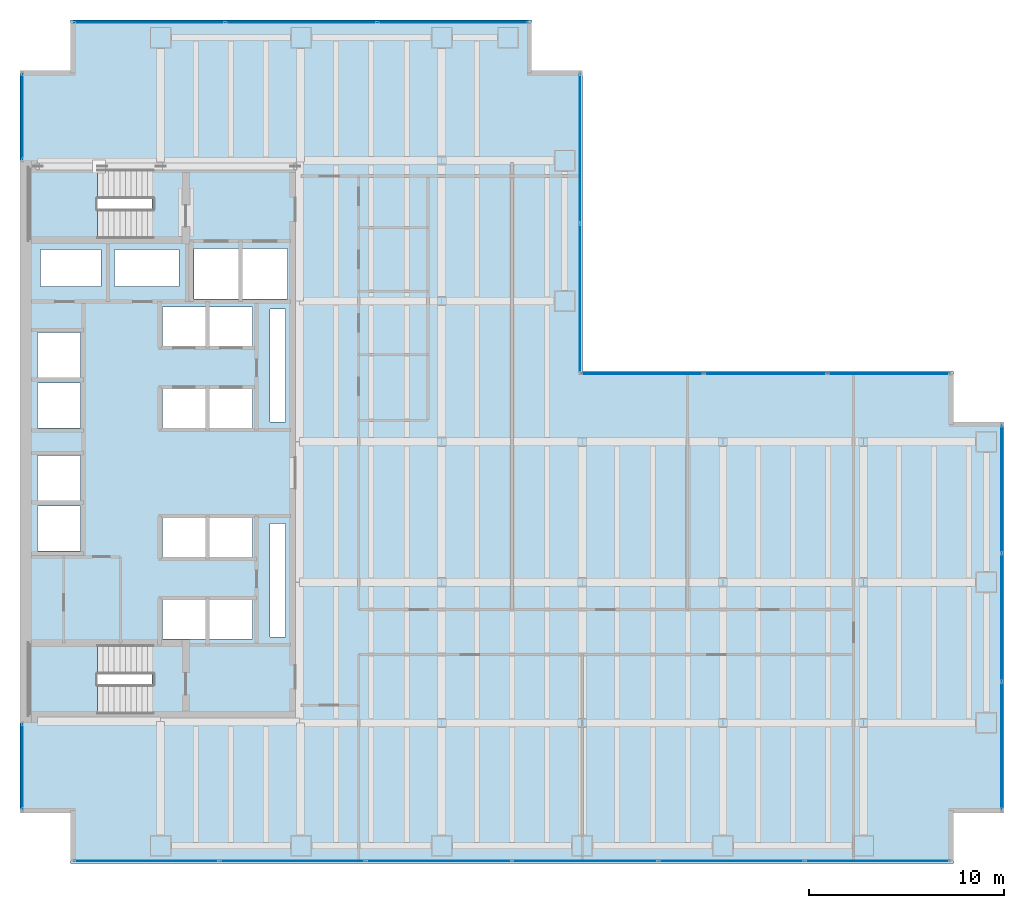
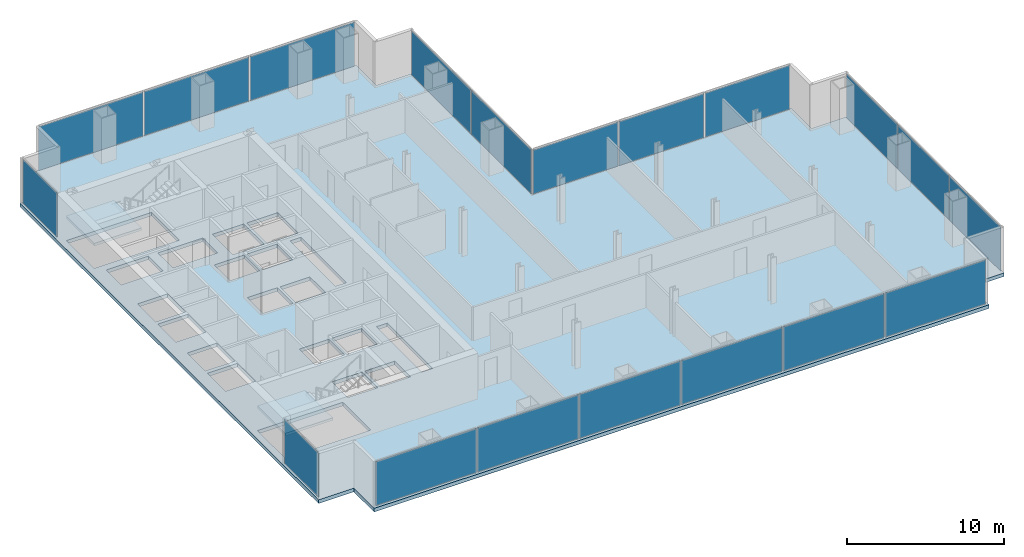
# One storey, part 19 of 23: 19 plates, 3 slabs, 20 openings, 9 elements without a shape of their own.
"""IFC4 building model written with IfcOpenShell, lengths in metres."""

from ifc_helpers import new_model, si_unit, direction, frame, origin, origin_2d, place, context, subcontext, project, spatial, polyline, rectangle, outline, extrude, material, layer, layer_set, type_object, element, aggregate, save


model = new_model("IFC4")

# Units and contexts
model_context = context("Model", 3, precision=1e-05, world=origin(), true_north=direction((0.0, 1.0)))
body_context = subcontext(model_context, "Body", "Model", "MODEL_VIEW")
ifc_project = project(units=[si_unit("LENGTHUNIT", "METRE"), si_unit("AREAUNIT", "SQUARE_METRE"), si_unit("VOLUMEUNIT", "CUBIC_METRE"), si_unit("PLANEANGLEUNIT", "RADIAN"), si_unit("MASSUNIT", "GRAM", prefix="KILO")], contexts=[model_context])

# Site, building, storey
site_placement = place(None, origin())
site = spatial("IfcSite", under=ifc_project, at=site_placement, CompositionType="ELEMENT")
building_placement = place(site_placement, origin())
building = spatial("IfcBuilding", under=site, at=building_placement, Name="Cobrela Telecom Tower", CompositionType="ELEMENT")
storey_placement = place(building_placement, frame((0.0, 0.0, 38.85009765625)))
storey = spatial("IfcBuildingStorey", under=building, at=storey_placement, Name="L09", CompositionType="ELEMENT", Elevation=38.85009765625)

# Curtain wall, plate
ifc_material_1 = material(Name="Anodized Bronze Aluminium 6063-T6", Category="aluminium")
curtain_wall_type = type_object("IfcCurtainWallType", Name="CW-SYS-DATA", PredefinedType="USERDEFINED", material=ifc_material_1)
curtain_wall_1_placement = place(storey_placement, origin())
curtain_wall_1 = element("IfcCurtainWall", 1, at=curtain_wall_1_placement, inside=storey, type_object=curtain_wall_type, Name="L09 Unitised Bronze Curtain Wall 03", ObjectType="UNITISED CURTAIN WALL", PredefinedType="USERDEFINED")
ifc_material_2 = material(Name="Solar-Control Bronze Low-E Glass", Category="glass")
ifc_layer_1 = layer(ifc_material_2, 0.0380859375)
ifc_layer_set_1 = layer_set([ifc_layer_1], Name="Solar-Control Bronze Low-E Glass")
plate_type = type_object("IfcPlateType", Name="CW-SYS-DATA-PNL", PredefinedType="CURTAIN_PANEL", material=ifc_layer_set_1)
plate_1_placement = place(storey_placement, frame((0.1201171875, 4.955078125, 0.074951171875), z_axis=(0.0, 0.0, 1.0), x_axis=(0.0, 1.0, 0.0)))
plate_1 = element("IfcPlate", 2, at=plate_1_placement, type_object=plate_type, Name="CW-DATA panel 1.1", PredefinedType="CURTAIN_PANEL", context=body_context, shape_type="SweptSolid", body=[
    extrude(rectangle(XDim=4.330078125, YDim=0.0380859375, at=origin_2d()), origin(), (0.0, 0.0, 1.0), 3.419921875),
])
aggregate(curtain_wall_1, [plate_1])

curtain_wall_2_placement = place(storey_placement, origin())
curtain_wall_2 = element("IfcCurtainWall", 3, at=curtain_wall_2_placement, inside=storey, type_object=curtain_wall_type, Name="L09 Unitised Bronze Curtain Wall 04", ObjectType="UNITISED CURTAIN WALL", PredefinedType="USERDEFINED")
plate_2_placement = place(storey_placement, frame((0.1201171875, 38.2451171875, 0.074951171875), z_axis=(0.0, 0.0, 1.0), x_axis=(0.0, 1.0, 0.0)))
plate_2 = element("IfcPlate", 4, at=plate_2_placement, type_object=plate_type, Name="CW-DATA panel 1.1", PredefinedType="CURTAIN_PANEL", context=body_context, shape_type="SweptSolid", body=[
    extrude(rectangle(XDim=4.330078125, YDim=0.0380859375, at=origin_2d()), origin(), (0.0, 0.0, 1.0), 3.419921875),
])
aggregate(curtain_wall_2, [plate_2])

# Curtain wall, plates
curtain_wall_3_placement = place(storey_placement, origin())
curtain_wall_3 = element("IfcCurtainWall", 5, at=curtain_wall_3_placement, inside=storey, type_object=curtain_wall_type, Name="L09 Unitised Bronze Curtain Wall 07", ObjectType="UNITISED CURTAIN WALL", PredefinedType="USERDEFINED")
plate_3_placement = place(storey_placement, frame((6.626708984375, 43.080078125, 0.074951171875), z_axis=(0.0, 0.0, 1.0), x_axis=(1.0, 0.0, 0.0)))
plate_3 = element("IfcPlate", 6, at=plate_3_placement, type_object=plate_type, Name="CW-DATA panel 1.1", PredefinedType="CURTAIN_PANEL", context=body_context, shape_type="SweptSolid", body=[
    extrude(rectangle(XDim=7.67333984375, YDim=0.0380859375, at=origin_2d()), origin(), (0.0, 0.0, 1.0), 3.419921875),
])
plate_4_placement = place(storey_placement, frame((14.39990234375, 43.080078125, 0.074951171875), z_axis=(0.0, 0.0, 1.0), x_axis=(1.0, 0.0, 0.0)))
plate_4 = element("IfcPlate", 7, at=plate_4_placement, type_object=plate_type, Name="CW-DATA panel 2.1", PredefinedType="CURTAIN_PANEL", context=body_context, shape_type="SweptSolid", body=[
    extrude(rectangle(XDim=7.71337890625, YDim=0.0380859375, at=origin_2d()), origin(), (0.0, 0.0, 1.0), 3.419921875),
])
plate_5_placement = place(storey_placement, frame((22.17333984375, 43.080078125, 0.074951171875), z_axis=(0.0, 0.0, 1.0), x_axis=(1.0, 0.0, 0.0)))
plate_5 = element("IfcPlate", 8, at=plate_5_placement, type_object=plate_type, Name="CW-DATA panel 3.1", PredefinedType="CURTAIN_PANEL", context=body_context, shape_type="SweptSolid", body=[
    extrude(rectangle(XDim=7.67333984375, YDim=0.0380859375, at=origin_2d()), origin(), (0.0, 0.0, 1.0), 3.419921875),
])
aggregate(curtain_wall_3, [plate_3, plate_4, plate_5])

curtain_wall_4_placement = place(storey_placement, origin())
curtain_wall_4 = element("IfcCurtainWall", 9, at=curtain_wall_4_placement, inside=storey, type_object=curtain_wall_type, Name="L09 Unitised Bronze Curtain Wall 10", ObjectType="UNITISED CURTAIN WALL", PredefinedType="USERDEFINED")
plate_6_placement = place(storey_placement, frame((28.679931640625, 36.617431640625, 0.074951171875), z_axis=(0.0, 0.0, 1.0), x_axis=(0.0, -1.0, 0.0)))
plate_6 = element("IfcPlate", 10, at=plate_6_placement, type_object=plate_type, Name="CW-DATA panel 1.1", PredefinedType="CURTAIN_PANEL", context=body_context, shape_type="SweptSolid", body=[
    extrude(rectangle(XDim=7.5849609375, YDim=0.0380859375, at=origin_2d()), origin(), (0.0, 0.0, 1.0), 3.419921875),
])
plate_7_placement = place(storey_placement, frame((28.679931640625, 28.952392578125, 0.074951171875), z_axis=(0.0, 0.0, 1.0), x_axis=(0.0, -1.0, 0.0)))
plate_7 = element("IfcPlate", 11, at=plate_7_placement, type_object=plate_type, Name="CW-DATA panel 2.1", PredefinedType="CURTAIN_PANEL", context=body_context, shape_type="SweptSolid", body=[
    extrude(rectangle(XDim=7.5849609375, YDim=0.0380859375, at=origin_2d()), origin(), (0.0, 0.0, 1.0), 3.419921875),
])
aggregate(curtain_wall_4, [plate_6, plate_7])

curtain_wall_5_placement = place(storey_placement, origin())
curtain_wall_5 = element("IfcCurtainWall", 12, at=curtain_wall_5_placement, inside=storey, type_object=curtain_wall_type, Name="L09 Unitised Bronze Curtain Wall 11", ObjectType="UNITISED CURTAIN WALL", PredefinedType="USERDEFINED")
plate_8_placement = place(storey_placement, frame((31.868408203125, 25.080078125, 0.074951171875), z_axis=(0.0, 0.0, 1.0), x_axis=(1.0, 0.0, 0.0)))
plate_8 = element("IfcPlate", 13, at=plate_8_placement, type_object=plate_type, Name="CW-DATA panel 1.1", PredefinedType="CURTAIN_PANEL", context=body_context, shape_type="SweptSolid", body=[
    extrude(rectangle(XDim=6.216552734375, YDim=0.0380859375, at=origin_2d()), origin(), (0.0, 0.0, 1.0), 3.419921875),
])
plate_9_placement = place(storey_placement, frame((38.18505859375, 25.080078125, 0.074951171875), z_axis=(0.0, 0.0, 1.0), x_axis=(1.0, 0.0, 0.0)))
plate_9 = element("IfcPlate", 14, at=plate_9_placement, type_object=plate_type, Name="CW-DATA panel 2.1", PredefinedType="CURTAIN_PANEL", context=body_context, shape_type="SweptSolid", body=[
    extrude(rectangle(XDim=6.256591796875, YDim=0.0380859375, at=origin_2d()), origin(), (0.0, 0.0, 1.0), 3.419921875),
])
plate_10_placement = place(storey_placement, frame((44.501708984375, 25.080078125, 0.074951171875), z_axis=(0.0, 0.0, 1.0), x_axis=(1.0, 0.0, 0.0)))
plate_10 = element("IfcPlate", 15, at=plate_10_placement, type_object=plate_type, Name="CW-DATA panel 3.1", PredefinedType="CURTAIN_PANEL", context=body_context, shape_type="SweptSolid", body=[
    extrude(rectangle(XDim=6.216552734375, YDim=0.0380859375, at=origin_2d()), origin(), (0.0, 0.0, 1.0), 3.419921875),
])
aggregate(curtain_wall_5, [plate_8, plate_9, plate_10])

curtain_wall_6_placement = place(storey_placement, origin())
curtain_wall_6 = element("IfcCurtainWall", 16, at=curtain_wall_6_placement, inside=storey, type_object=curtain_wall_type, Name="L09 Unitised Bronze Curtain Wall 14", ObjectType="UNITISED CURTAIN WALL", PredefinedType="USERDEFINED")
plate_11_placement = place(storey_placement, frame((50.280029296875, 19.17333984375, 0.074951171875), z_axis=(0.0, 0.0, 1.0), x_axis=(0.0, -1.0, 0.0)))
plate_11 = element("IfcPlate", 17, at=plate_11_placement, type_object=plate_type, Name="CW-DATA panel 1.1", PredefinedType="CURTAIN_PANEL", context=body_context, shape_type="SweptSolid", body=[
    extrude(rectangle(XDim=6.473388671875, YDim=0.0380859375, at=origin_2d()), origin(), (0.0, 0.0, 1.0), 3.419921875),
])
plate_12_placement = place(storey_placement, frame((50.280029296875, 12.60009765625, 0.074951171875), z_axis=(0.0, 0.0, 1.0), x_axis=(0.0, -1.0, 0.0)))
plate_12 = element("IfcPlate", 18, at=plate_12_placement, type_object=plate_type, Name="CW-DATA panel 2.1", PredefinedType="CURTAIN_PANEL", context=body_context, shape_type="SweptSolid", body=[
    extrude(rectangle(XDim=6.513427734375, YDim=0.0380859375, at=origin_2d()), origin(), (0.0, 0.0, 1.0), 3.419921875),
])
plate_13_placement = place(storey_placement, frame((50.280029296875, 6.026611328125, 0.074951171875), z_axis=(0.0, 0.0, 1.0), x_axis=(0.0, -1.0, 0.0)))
plate_13 = element("IfcPlate", 19, at=plate_13_placement, type_object=plate_type, Name="CW-DATA panel 3.1", PredefinedType="CURTAIN_PANEL", context=body_context, shape_type="SweptSolid", body=[
    extrude(rectangle(XDim=6.473388671875, YDim=0.0380859375, at=origin_2d()), origin(), (0.0, 0.0, 1.0), 3.419921875),
])
aggregate(curtain_wall_6, [plate_11, plate_12, plate_13])

curtain_wall_7_placement = place(storey_placement, origin())
curtain_wall_7 = element("IfcCurtainWall", 20, at=curtain_wall_7_placement, inside=storey, type_object=curtain_wall_type, Name="L09 Unitised Bronze Curtain Wall 17", ObjectType="UNITISED CURTAIN WALL", PredefinedType="USERDEFINED")
plate_14_placement = place(storey_placement, frame((43.921630859375, 0.1201171875, 0.074951171875), z_axis=(0.0, 0.0, 1.0), x_axis=(-1.0, 0.0, 0.0)))
plate_14 = element("IfcPlate", 21, at=plate_14_placement, type_object=plate_type, Name="CW-DATA panel 1.1", PredefinedType="CURTAIN_PANEL", context=body_context, shape_type="SweptSolid", body=[
    extrude(rectangle(XDim=7.376708984375, YDim=0.0380859375, at=origin_2d()), origin(), (0.0, 0.0, 1.0), 3.419921875),
])
plate_15_placement = place(storey_placement, frame((36.445068359375, 0.1201171875, 0.074951171875), z_axis=(0.0, 0.0, 1.0), x_axis=(-1.0, 0.0, 0.0)))
plate_15 = element("IfcPlate", 22, at=plate_15_placement, type_object=plate_type, Name="CW-DATA panel 2.1", PredefinedType="CURTAIN_PANEL", context=body_context, shape_type="SweptSolid", body=[
    extrude(rectangle(XDim=7.416748046875, YDim=0.0380859375, at=origin_2d()), origin(), (0.0, 0.0, 1.0), 3.419921875),
])
plate_16_placement = place(storey_placement, frame((28.9482421875, 0.1201171875, 0.074951171875), z_axis=(0.0, 0.0, 1.0), x_axis=(-1.0, 0.0, 0.0)))
plate_16 = element("IfcPlate", 23, at=plate_16_placement, type_object=plate_type, Name="CW-DATA panel 3.1", PredefinedType="CURTAIN_PANEL", context=body_context, shape_type="SweptSolid", body=[
    extrude(rectangle(XDim=7.416748046875, YDim=0.0380859375, at=origin_2d()), origin(), (0.0, 0.0, 1.0), 3.419921875),
])
plate_17_placement = place(storey_placement, frame((21.45166015625, 0.1201171875, 0.074951171875), z_axis=(0.0, 0.0, 1.0), x_axis=(-1.0, 0.0, 0.0)))
plate_17 = element("IfcPlate", 24, at=plate_17_placement, type_object=plate_type, Name="CW-DATA panel 4.1", PredefinedType="CURTAIN_PANEL", context=body_context, shape_type="SweptSolid", body=[
    extrude(rectangle(XDim=7.416748046875, YDim=0.0380859375, at=origin_2d()), origin(), (0.0, 0.0, 1.0), 3.419921875),
])
plate_18_placement = place(storey_placement, frame((13.955078125, 0.1201171875, 0.074951171875), z_axis=(0.0, 0.0, 1.0), x_axis=(-1.0, 0.0, 0.0)))
plate_18 = element("IfcPlate", 25, at=plate_18_placement, type_object=plate_type, Name="CW-DATA panel 5.1", PredefinedType="CURTAIN_PANEL", context=body_context, shape_type="SweptSolid", body=[
    extrude(rectangle(XDim=7.416748046875, YDim=0.0380859375, at=origin_2d()), origin(), (0.0, 0.0, 1.0), 3.419921875),
])
plate_19_placement = place(storey_placement, frame((6.478271484375, 0.1201171875, 0.074951171875), z_axis=(0.0, 0.0, 1.0), x_axis=(-1.0, 0.0, 0.0)))
plate_19 = element("IfcPlate", 26, at=plate_19_placement, type_object=plate_type, Name="CW-DATA panel 6.1", PredefinedType="CURTAIN_PANEL", context=body_context, shape_type="SweptSolid", body=[
    extrude(rectangle(XDim=7.376708984375, YDim=0.0380859375, at=origin_2d()), origin(), (0.0, 0.0, 1.0), 3.419921875),
])
aggregate(curtain_wall_7, [plate_14, plate_15, plate_16, plate_17, plate_18, plate_19])

# Slab, openings
ifc_material_3 = material(Name="Concrete C40/50", Category="concrete")
ifc_layer_2 = layer(ifc_material_3, 0.280029296875)
ifc_layer_set_2 = layer_set([ifc_layer_2], Name="Concrete C40/50")
slab_type_1 = type_object("IfcSlabType", Name="SLAB-FLR-280", PredefinedType="FLOOR", material=ifc_layer_set_2)
slab_1_placement = place(storey_placement, frame((0.0, 0.0, -0.280029296875)))
slab_1 = element("IfcSlab", 27, at=slab_1_placement, inside=storey, type_object=slab_type_1, Name="L09 Structural Floor Slab", PredefinedType="FLOOR", context=body_context, shape_type="SweptSolid", body=[
    extrude(outline(polyline([(2.590087890625, 0.0), (47.81005859375, 0.0), (47.81005859375, 2.590087890625), (50.39990234375, 2.590087890625), (50.39990234375, 22.610107421875), (47.81005859375, 22.610107421875), (47.81005859375, 25.199951171875), (28.800048828125, 25.199951171875), (28.800048828125, 40.610107421875), (26.2099609375, 40.610107421875), (26.2099609375, 43.199951171875), (2.590087890625, 43.199951171875), (2.590087890625, 40.610107421875), (0.0, 40.610107421875), (0.0, 2.590087890625), (2.590087890625, 2.590087890625), (2.590087890625, 0.0)])), origin(), (0.0, 0.0, 1.0), 0.280029296875),
])
opening_1_placement = place(slab_1_placement, frame((0.0, 0.0, -0.02001953125)))
element("IfcOpeningElement", 28, at=opening_1_placement, cuts=slab_1, Name="Slab Shaft Opening SLAB-L09-MAIN.1", PredefinedType="OPENING", context=body_context, shape_type="SweptSolid", body=[
    extrude(outline(polyline([(8.89990234375, 28.89990234375), (11.199951171875, 28.89990234375), (11.199951171875, 31.5), (8.89990234375, 31.5), (8.89990234375, 28.89990234375)])), origin(), (0.0, 0.0, 1.0), 0.320068359375),
])
opening_2_placement = place(slab_1_placement, frame((0.0, 0.0, -0.02001953125)))
element("IfcOpeningElement", 29, at=opening_2_placement, cuts=slab_1, Name="Slab Shaft Opening SLAB-L09-MAIN.2", PredefinedType="OPENING", context=body_context, shape_type="SweptSolid", body=[
    extrude(outline(polyline([(11.39990234375, 28.89990234375), (13.699951171875, 28.89990234375), (13.699951171875, 31.5), (11.39990234375, 31.5), (11.39990234375, 28.89990234375)])), origin(), (0.0, 0.0, 1.0), 0.320068359375),
])
opening_3_placement = place(slab_1_placement, frame((0.0, 0.0, -0.02001953125)))
element("IfcOpeningElement", 30, at=opening_3_placement, cuts=slab_1, Name="Slab Shaft Opening SLAB-L09-MAIN.3", PredefinedType="OPENING", context=body_context, shape_type="SweptSolid", body=[
    extrude(outline(polyline([(7.300048828125, 22.300048828125), (9.5, 22.300048828125), (9.5, 24.300048828125), (7.300048828125, 24.300048828125), (7.300048828125, 22.300048828125)])), origin(), (0.0, 0.0, 1.0), 0.320068359375),
])
opening_4_placement = place(slab_1_placement, frame((0.0, 0.0, -0.02001953125)))
element("IfcOpeningElement", 31, at=opening_4_placement, cuts=slab_1, Name="Slab Shaft Opening SLAB-L09-MAIN.4", PredefinedType="OPENING", context=body_context, shape_type="SweptSolid", body=[
    extrude(outline(polyline([(9.699951171875, 22.300048828125), (11.89990234375, 22.300048828125), (11.89990234375, 24.300048828125), (9.699951171875, 24.300048828125), (9.699951171875, 22.300048828125)])), origin(), (0.0, 0.0, 1.0), 0.320068359375),
])
opening_5_placement = place(slab_1_placement, frame((0.0, 0.0, -0.02001953125)))
element("IfcOpeningElement", 32, at=opening_5_placement, cuts=slab_1, Name="Slab Shaft Opening SLAB-L09-MAIN.5", PredefinedType="OPENING", context=body_context, shape_type="SweptSolid", body=[
    extrude(outline(polyline([(7.300048828125, 26.5), (9.5, 26.5), (9.5, 28.5), (7.300048828125, 28.5), (7.300048828125, 26.5)])), origin(), (0.0, 0.0, 1.0), 0.320068359375),
])
opening_6_placement = place(slab_1_placement, frame((0.0, 0.0, -0.02001953125)))
element("IfcOpeningElement", 33, at=opening_6_placement, cuts=slab_1, Name="Slab Shaft Opening SLAB-L09-MAIN.6", PredefinedType="OPENING", context=body_context, shape_type="SweptSolid", body=[
    extrude(outline(polyline([(9.699951171875, 26.5), (11.89990234375, 26.5), (11.89990234375, 28.5), (9.699951171875, 28.5), (9.699951171875, 26.5)])), origin(), (0.0, 0.0, 1.0), 0.320068359375),
])
opening_7_placement = place(slab_1_placement, frame((0.0, 0.0, -0.02001953125)))
element("IfcOpeningElement", 34, at=opening_7_placement, cuts=slab_1, Name="Slab Shaft Opening SLAB-L09-MAIN.7", PredefinedType="OPENING", context=body_context, shape_type="SweptSolid", body=[
    extrude(outline(polyline([(7.300048828125, 15.699951171875), (9.5, 15.699951171875), (9.5, 17.699951171875), (7.300048828125, 17.699951171875), (7.300048828125, 15.699951171875)])), origin(), (0.0, 0.0, 1.0), 0.320068359375),
])
opening_8_placement = place(slab_1_placement, frame((0.0, 0.0, -0.02001953125)))
element("IfcOpeningElement", 35, at=opening_8_placement, cuts=slab_1, Name="Slab Shaft Opening SLAB-L09-MAIN.8", PredefinedType="OPENING", context=body_context, shape_type="SweptSolid", body=[
    extrude(outline(polyline([(9.699951171875, 15.699951171875), (11.89990234375, 15.699951171875), (11.89990234375, 17.699951171875), (9.699951171875, 17.699951171875), (9.699951171875, 15.699951171875)])), origin(), (0.0, 0.0, 1.0), 0.320068359375),
])
opening_9_placement = place(slab_1_placement, frame((0.0, 0.0, -0.02001953125)))
element("IfcOpeningElement", 36, at=opening_9_placement, cuts=slab_1, Name="Slab Shaft Opening SLAB-L09-MAIN.9", PredefinedType="OPENING", context=body_context, shape_type="SweptSolid", body=[
    extrude(outline(polyline([(7.300048828125, 11.5), (9.5, 11.5), (9.5, 13.5), (7.300048828125, 13.5), (7.300048828125, 11.5)])), origin(), (0.0, 0.0, 1.0), 0.320068359375),
])
opening_10_placement = place(slab_1_placement, frame((0.0, 0.0, -0.02001953125)))
element("IfcOpeningElement", 37, at=opening_10_placement, cuts=slab_1, Name="Slab Shaft Opening SLAB-L09-MAIN.10", PredefinedType="OPENING", context=body_context, shape_type="SweptSolid", body=[
    extrude(outline(polyline([(9.699951171875, 11.5), (11.89990234375, 11.5), (11.89990234375, 13.5), (9.699951171875, 13.5), (9.699951171875, 11.5)])), origin(), (0.0, 0.0, 1.0), 0.320068359375),
])
opening_11_placement = place(slab_1_placement, frame((0.0, 0.0, -0.02001953125)))
element("IfcOpeningElement", 38, at=opening_11_placement, cuts=slab_1, Name="Slab Shaft Opening SLAB-L09-MAIN.11", PredefinedType="OPENING", context=body_context, shape_type="SweptSolid", body=[
    extrude(outline(polyline([(0.89990234375, 16.0), (3.10009765625, 16.0), (3.10009765625, 18.300048828125), (0.89990234375, 18.300048828125), (0.89990234375, 16.0)])), origin(), (0.0, 0.0, 1.0), 0.320068359375),
])
opening_12_placement = place(slab_1_placement, frame((0.0, 0.0, -0.02001953125)))
element("IfcOpeningElement", 39, at=opening_12_placement, cuts=slab_1, Name="Slab Shaft Opening SLAB-L09-MAIN.12", PredefinedType="OPENING", context=body_context, shape_type="SweptSolid", body=[
    extrude(outline(polyline([(0.89990234375, 18.60009765625), (3.10009765625, 18.60009765625), (3.10009765625, 20.89990234375), (0.89990234375, 20.89990234375), (0.89990234375, 18.60009765625)])), origin(), (0.0, 0.0, 1.0), 0.320068359375),
])
opening_13_placement = place(slab_1_placement, frame((0.0, 0.0, -0.02001953125)))
element("IfcOpeningElement", 40, at=opening_13_placement, cuts=slab_1, Name="Slab Shaft Opening SLAB-L09-MAIN.13", PredefinedType="OPENING", context=body_context, shape_type="SweptSolid", body=[
    extrude(outline(polyline([(0.89990234375, 22.300048828125), (3.10009765625, 22.300048828125), (3.10009765625, 24.60009765625), (0.89990234375, 24.60009765625), (0.89990234375, 22.300048828125)])), origin(), (0.0, 0.0, 1.0), 0.320068359375),
])
opening_14_placement = place(slab_1_placement, frame((0.0, 0.0, -0.02001953125)))
element("IfcOpeningElement", 41, at=opening_14_placement, cuts=slab_1, Name="Slab Shaft Opening SLAB-L09-MAIN.14", PredefinedType="OPENING", context=body_context, shape_type="SweptSolid", body=[
    extrude(outline(polyline([(0.89990234375, 24.89990234375), (3.10009765625, 24.89990234375), (3.10009765625, 27.199951171875), (0.89990234375, 27.199951171875), (0.89990234375, 24.89990234375)])), origin(), (0.0, 0.0, 1.0), 0.320068359375),
])
opening_15_placement = place(slab_1_placement, frame((0.0, 0.0, -0.02001953125)))
element("IfcOpeningElement", 42, at=opening_15_placement, cuts=slab_1, Name="Slab Shaft Opening SLAB-L09-MAIN.15", PredefinedType="OPENING", context=body_context, shape_type="SweptSolid", body=[
    extrude(outline(polyline([(1.050048828125, 29.550048828125), (4.14990234375, 29.550048828125), (4.14990234375, 31.449951171875), (1.050048828125, 31.449951171875), (1.050048828125, 29.550048828125)])), origin(), (0.0, 0.0, 1.0), 0.320068359375),
])
opening_16_placement = place(slab_1_placement, frame((0.0, 0.0, -0.02001953125)))
element("IfcOpeningElement", 43, at=opening_16_placement, cuts=slab_1, Name="Slab Shaft Opening SLAB-L09-MAIN.16", PredefinedType="OPENING", context=body_context, shape_type="SweptSolid", body=[
    extrude(outline(polyline([(4.85009765625, 29.550048828125), (8.14990234375, 29.550048828125), (8.14990234375, 31.449951171875), (4.85009765625, 31.449951171875), (4.85009765625, 29.550048828125)])), origin(), (0.0, 0.0, 1.0), 0.320068359375),
])
opening_17_placement = place(slab_1_placement, frame((0.0, 0.0, -0.02001953125)))
element("IfcOpeningElement", 44, at=opening_17_placement, cuts=slab_1, Name="Slab Shaft Opening SLAB-L09-MAIN.17", PredefinedType="OPENING", context=body_context, shape_type="SweptSolid", body=[
    extrude(outline(polyline([(12.800048828125, 22.60009765625), (13.60009765625, 22.60009765625), (13.60009765625, 28.39990234375), (12.800048828125, 28.39990234375), (12.800048828125, 22.60009765625)])), origin(), (0.0, 0.0, 1.0), 0.320068359375),
])
opening_18_placement = place(slab_1_placement, frame((0.0, 0.0, -0.02001953125)))
element("IfcOpeningElement", 45, at=opening_18_placement, cuts=slab_1, Name="Slab Shaft Opening SLAB-L09-MAIN.18", PredefinedType="OPENING", context=body_context, shape_type="SweptSolid", body=[
    extrude(outline(polyline([(12.800048828125, 11.60009765625), (13.60009765625, 11.60009765625), (13.60009765625, 17.39990234375), (12.800048828125, 17.39990234375), (12.800048828125, 11.60009765625)])), origin(), (0.0, 0.0, 1.0), 0.320068359375),
])
opening_19_placement = place(slab_1_placement, frame((0.0, 0.0, -0.02001953125)))
element("IfcOpeningElement", 46, at=opening_19_placement, cuts=slab_1, Name="Slab Shaft Opening SLAB-L09-MAIN.19", PredefinedType="OPENING", context=body_context, shape_type="SweptSolid", body=[
    extrude(outline(polyline([(6.7548828125, 35.550048828125), (0.47998046875, 35.550048828125), (0.47998046875, 32.0), (6.7548828125, 32.0), (6.7548828125, 35.550048828125)])), origin(), (0.0, 0.0, 1.0), 0.320068359375),
])
opening_20_placement = place(slab_1_placement, frame((0.0, 0.0, -0.02001953125)))
element("IfcOpeningElement", 47, at=opening_20_placement, cuts=slab_1, Name="Slab Shaft Opening SLAB-L09-MAIN.20", PredefinedType="OPENING", context=body_context, shape_type="SweptSolid", body=[
    extrude(outline(polyline([(6.7548828125, 11.199951171875), (0.47998046875, 11.199951171875), (0.47998046875, 7.64990234375), (6.7548828125, 7.64990234375), (6.7548828125, 11.199951171875)])), origin(), (0.0, 0.0, 1.0), 0.320068359375),
])

# Stair, slab
stair_type = type_object("IfcStairType", Name="STAIR-CORE", PredefinedType="HALF_TURN_STAIR", material=ifc_material_3)
stair_1_placement = place(storey_placement, origin())
stair_1 = element("IfcStair", 48, at=stair_1_placement, inside=storey, type_object=stair_type, Name="L09 Smokeproof Exit Stair ST1", PredefinedType="HALF_TURN_STAIR")
ifc_layer_3 = layer(ifc_material_3, 0.199951171875)
ifc_layer_set_3 = layer_set([ifc_layer_3], Name="Concrete C40/50")
slab_type_2 = type_object("IfcSlabType", Name="SLAB-LAND-200", PredefinedType="LANDING", material=ifc_layer_set_3)
slab_2_placement = place(storey_placement, frame((0.0, 0.0, 1.724853515625)))
slab_2 = element("IfcSlab", 49, at=slab_2_placement, type_object=slab_type_2, Name="ST1 landing 1", PredefinedType="LANDING", context=body_context, shape_type="SweptSolid", body=[
    extrude(outline(polyline([(3.969970703125, 35.550048828125), (0.47998046875, 35.550048828125), (0.47998046875, 32.0), (3.969970703125, 32.0), (3.969970703125, 35.550048828125)])), origin(), (0.0, 0.0, 1.0), 0.199951171875),
])
aggregate(stair_1, [slab_2])

stair_2_placement = place(storey_placement, origin())
stair_2 = element("IfcStair", 50, at=stair_2_placement, inside=storey, type_object=stair_type, Name="L09 Smokeproof Exit Stair ST2", PredefinedType="HALF_TURN_STAIR")
slab_3_placement = place(storey_placement, frame((0.0, 0.0, 1.724853515625)))
slab_3 = element("IfcSlab", 51, at=slab_3_placement, type_object=slab_type_2, Name="ST2 landing 1", PredefinedType="LANDING", context=body_context, shape_type="SweptSolid", body=[
    extrude(outline(polyline([(3.969970703125, 11.199951171875), (0.47998046875, 11.199951171875), (0.47998046875, 7.64990234375), (3.969970703125, 7.64990234375), (3.969970703125, 11.199951171875)])), origin(), (0.0, 0.0, 1.0), 0.199951171875),
])
aggregate(stair_2, [slab_3])

save(model, "model.ifc")
